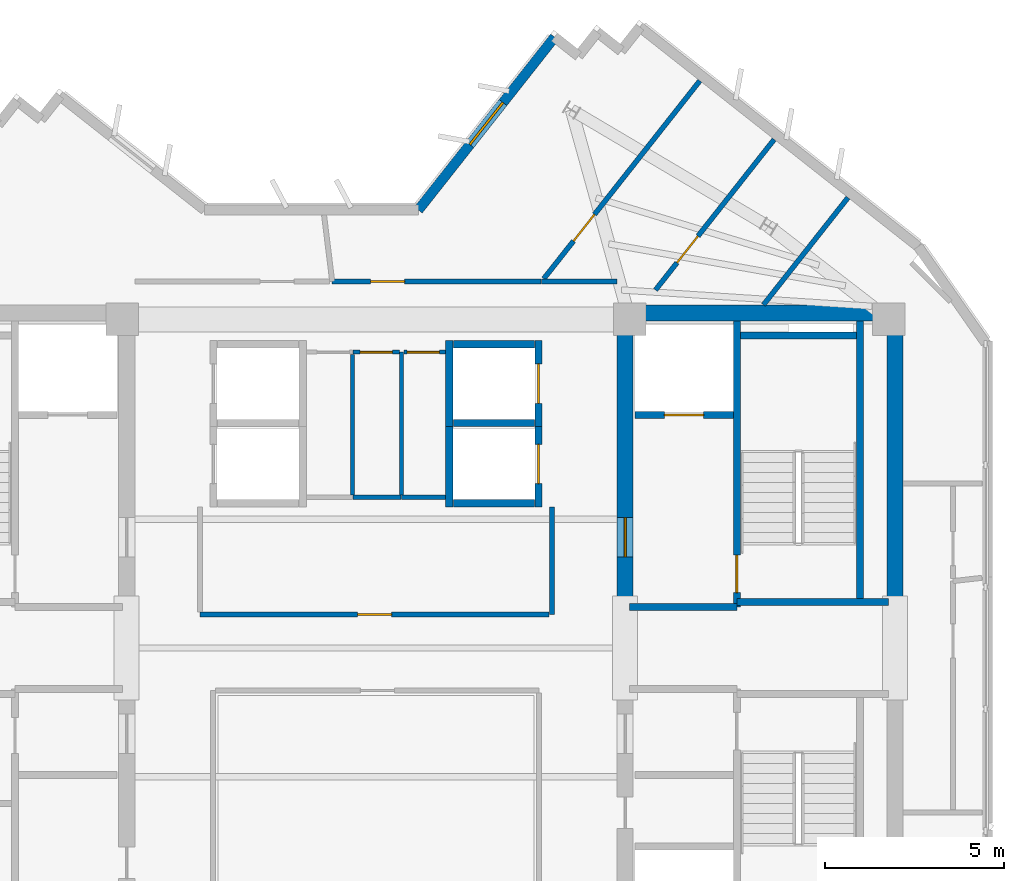
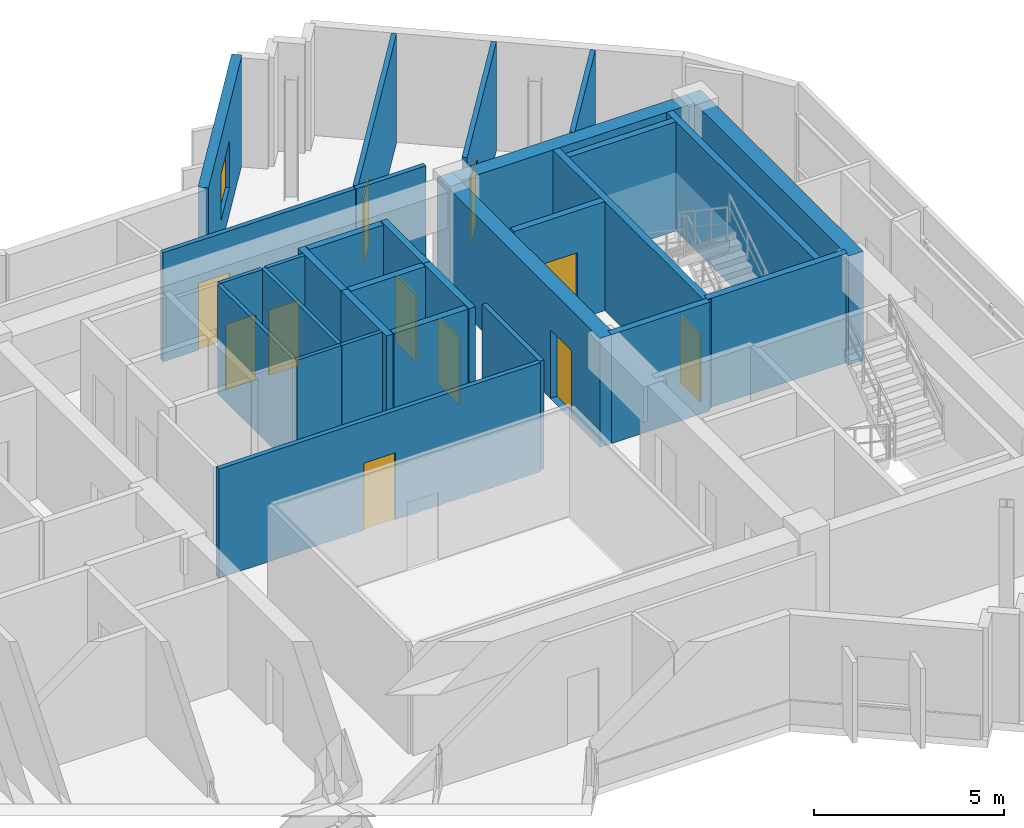
# One storey, part 7 of 10: 30 walls, 11 doors, 1 window, 12 openings.
"""IFC4 building model written with IfcOpenShell, lengths in metres."""

from ifc_helpers import new_model, si_unit, direction, frame, frame_2d, origin, place, context, subcontext, project, spatial, rectangle, extrude, source, transform, mapped, material, layer, layer_set, type_object, element, fill, save


model = new_model("IFC4")

# Units and contexts
model_context = context("Model", 3, precision=1e-05, world=origin(), true_north=direction((0.0, 1.0)))
body_context = subcontext(model_context, "Body", "Model", "MODEL_VIEW")
ifc_project = project(units=[si_unit("LENGTHUNIT", "METRE"), si_unit("AREAUNIT", "SQUARE_METRE"), si_unit("VOLUMEUNIT", "CUBIC_METRE"), si_unit("PLANEANGLEUNIT", "RADIAN"), si_unit("MASSUNIT", "GRAM", prefix="KILO")], contexts=[model_context])

# Site, building, storey
site_placement = place(None, origin())
site = spatial("IfcSite", under=ifc_project, at=site_placement, CompositionType="ELEMENT")
building_placement = place(site_placement, origin())
building = spatial("IfcBuilding", under=site, at=building_placement, Name="Zahravan Cultural Tower", CompositionType="ELEMENT")
storey_placement = place(building_placement, frame((0.0, 0.0, 323.550048828125)))
storey = spatial("IfcBuildingStorey", under=building, at=storey_placement, Name="L78", CompositionType="ELEMENT", Elevation=323.550048828125)

# Wall, opening, door
ifc_material_1 = material(Name="Concrete C50/60", Category="concrete")
ifc_layer_1 = layer(ifc_material_1, 0.449951171875)
ifc_layer_set_1 = layer_set([ifc_layer_1], Name="Concrete C50/60")
wall_type_1 = type_object("IfcWallType", Name="CW-SHEAR-450-C50", PredefinedType="SHEAR", material=ifc_layer_set_1)
wall_1_placement = place(storey_placement, frame((42.97509765625, 28.050048828125, 0.0), z_axis=(0.0, 0.0, 1.0), x_axis=(0.0, 1.0, 0.0)))
wall_1 = element("IfcWall", 1, at=wall_1_placement, inside=storey, type_object=wall_type_1, Name="L78 Core Shear Wall CW-E-WN-L78", PredefinedType="SHEAR", context=body_context, shape_type="SweptSolid", body=[
    extrude(rectangle(XDim=8.550048828125, YDim=0.449951171875, at=frame_2d((4.27490234375, 0.0))), origin(), (0.0, 0.0, 1.0), 3.5),
])
opening_1_placement = place(wall_1_placement, frame((1.5, 0.0, 0.0)))
opening_1 = element("IfcOpeningElement", 2, at=opening_1_placement, cuts=wall_1, Name="Opening D-L78-07", PredefinedType="OPENING", context=body_context, shape_type="SweptSolid", body=[
    extrude(rectangle(XDim=1.10009765625, YDim=2.199951171875, at=frame_2d((0.550048828125, 1.10009765625))), frame((0.0, 0.23486328125, 0.0), z_axis=(0.0, -1.0, 0.0), x_axis=(1.0, 0.0, 0.0)), (0.0, 0.0, 1.0), 0.469970703125),
])
ifc_material_2 = material(Name="Steel ASTM A572 Grade 50", Category="steel")
door_type_1 = type_object("IfcDoorType", Name="DR-LOBBY-1100", OperationType="NOTDEFINED", PredefinedType="DOOR", material=ifc_material_2)
shared_shape_1 = source(origin(), body_context, "Body", "SweptSolid", [
    extrude(rectangle(XDim=1.10009765625, YDim=2.199951171875, at=frame_2d((0.550048828125, 1.10009765625))), frame((0.0, 0.02490234375, 0.0), z_axis=(0.0, -1.0, 0.0), x_axis=(1.0, 0.0, 0.0)), (0.0, 0.0, 1.0), 0.050048828125),
])
door_1_placement = place(opening_1_placement, origin())
door_1 = element("IfcDoor", 3, at=door_1_placement, inside=storey, type_object=door_type_1, Name="L78 Door D-L78-07", OperationType="SINGLE_SWING_RIGHT", OverallHeight=2.199951171875, OverallWidth=1.10009765625, PredefinedType="DOOR", context=body_context, shape_type="MappedRepresentation", body=[
    mapped(shared_shape_1, transform((0.0, 0.0, 0.0), x_axis=(1.0, 0.0, 0.0), y_axis=(0.0, 1.0, 0.0), z_axis=(0.0, 0.0, 1.0), scale=1.0)),
])
fill(opening_1, door_1)

# Wall, opening, window
ifc_material_3 = material(Name="Precast concrete C40/50", Category="concrete")
ifc_layer_2 = layer(ifc_material_3, 0.280029296875)
ifc_layer_set_2 = layer_set([ifc_layer_2], Name="Precast concrete C40/50")
wall_type_2 = type_object("IfcWallType", Name="EW-TC-280", PredefinedType="SOLIDWALL", material=ifc_layer_set_2)
wall_2_placement = place(storey_placement, frame((37.184326171875, 39.260009765625, 0.0), z_axis=(0.0, 0.0, 1.0), x_axis=(0.619100474058, 0.78531178714, 0.0)))
wall_2 = element("IfcWall", 4, at=wall_2_placement, inside=storey, type_object=wall_type_2, Name="L78 Exterior Masonry Frame Wall 09", PredefinedType="SOLIDWALL", context=body_context, shape_type="SweptSolid", body=[
    extrude(rectangle(XDim=6.158935546875, YDim=0.280029296875, at=frame_2d((3.07958984375, 0.0))), origin(), (0.0, 0.0, 1.0), 3.5),
])
opening_2_placement = place(wall_2_placement, frame((2.3291015625, 0.0, 0.85009765625)))
opening_2 = element("IfcOpeningElement", 5, at=opening_2_placement, cuts=wall_2, Name="Opening WN-03", PredefinedType="OPENING", context=body_context, shape_type="SweptSolid", body=[
    extrude(rectangle(XDim=1.5, YDim=1.5, at=frame_2d((0.75, 0.75))), frame((0.0, 0.14990234375, 0.0), z_axis=(0.0, -1.0, 0.0), x_axis=(1.0, 0.0, 0.0)), (0.0, 0.0, 1.0), 0.300048828125),
])
ifc_material_4 = material(Name="Low-E solar-control double glazing", Category="glass")
window_type = type_object("IfcWindowType", Name="WN-REC-1500X1500", PartitioningType="SINGLE_PANEL", PredefinedType="WINDOW", material=ifc_material_4)
shared_shape_2 = source(origin(), body_context, "Body", "SweptSolid", [
    extrude(rectangle(XDim=1.5, YDim=1.5, at=frame_2d((0.75, 0.75))), frame((0.0, 0.030029296875, 0.0), z_axis=(0.0, -1.0, 0.0), x_axis=(1.0, 0.0, 0.0)), (0.0, 0.0, 1.0), 0.06005859375),
])
window_placement = place(opening_2_placement, origin())
window = element("IfcWindow", 6, at=window_placement, inside=storey, type_object=window_type, Name="L78 Recessed Solar Window 04", OverallHeight=1.5, OverallWidth=1.5, PartitioningType="SINGLE_PANEL", PredefinedType="WINDOW", context=body_context, shape_type="MappedRepresentation", body=[
    mapped(shared_shape_2, transform((0.0, 0.0, 0.0), x_axis=(1.0, 0.0, 0.0), y_axis=(0.0, 1.0, 0.0), z_axis=(0.0, 0.0, 1.0), scale=1.0)),
])
fill(opening_2, window)

# Wall, opening, door
ifc_material_5 = material(Name="Gypsum plasterboard partition")
ifc_layer_3 = layer(ifc_material_5, 0.139892578125)
ifc_layer_set_3 = layer_set([ifc_layer_3], Name="Gypsum plasterboard partition")
wall_type_3 = type_object("IfcWallType", Name="W-PART-140", PredefinedType="PARTITIONING", material=ifc_layer_set_3)
wall_3_placement = place(storey_placement, frame((43.82275390625, 37.02001953125, 0.0), z_axis=(0.0, 0.0, 1.0), x_axis=(0.619105408422, 0.785307897109, 0.0)))
wall_3 = element("IfcWall", 7, at=wall_3_placement, inside=storey, type_object=wall_type_3, Name="L78 Interior Wall 050", PredefinedType="PARTITIONING", context=body_context, shape_type="SweptSolid", body=[
    extrude(rectangle(XDim=5.363037109375, YDim=0.139892578125, at=frame_2d((2.681640625, 0.0))), origin(), (0.0, 0.0, 1.0), 3.5),
])
opening_3_placement = place(wall_3_placement, frame((0.970947265625, 0.0, 0.0)))
opening_3 = element("IfcOpeningElement", 8, at=opening_3_placement, cuts=wall_3, Name="Opening D-L78-26", PredefinedType="OPENING", context=body_context, shape_type="SweptSolid", body=[
    extrude(rectangle(XDim=0.949951171875, YDim=2.14990234375, at=frame_2d((0.47509765625, 1.074951171875))), frame((0.0, 0.079833984375, 0.0), z_axis=(0.0, -1.0, 0.0), x_axis=(1.0, 0.0, 0.0)), (0.0, 0.0, 1.0), 0.159912109375),
])
ifc_material_6 = material(Name="Anodised bronze-aluminium mullion", Category="aluminium")
door_type_2 = type_object("IfcDoorType", Name="DR-ROOM-950", OperationType="NOTDEFINED", PredefinedType="DOOR", material=ifc_material_6)
shared_shape_3 = source(origin(), body_context, "Body", "SweptSolid", [
    extrude(rectangle(XDim=0.949951171875, YDim=2.14990234375, at=frame_2d((0.47509765625, 1.074951171875))), frame((0.0, 0.02490234375, 0.0), z_axis=(0.0, -1.0, 0.0), x_axis=(1.0, 0.0, 0.0)), (0.0, 0.0, 1.0), 0.050048828125),
])
door_2_placement = place(opening_3_placement, origin())
door_2 = element("IfcDoor", 9, at=door_2_placement, inside=storey, type_object=door_type_2, Name="L78 Door D-L78-26", OperationType="SINGLE_SWING_LEFT", OverallHeight=2.14990234375, OverallWidth=0.949951171875, PredefinedType="DOOR", context=body_context, shape_type="MappedRepresentation", body=[
    mapped(shared_shape_3, transform((0.0, 0.0, 0.0), x_axis=(1.0, 0.0, 0.0), y_axis=(0.0, 1.0, 0.0), z_axis=(0.0, 0.0, 1.0), scale=1.0)),
])
fill(opening_3, door_2)

wall_4_placement = place(storey_placement, frame((40.69677734375, 37.335205078125, 0.0), z_axis=(0.0, 0.0, 1.0), x_axis=(0.619105259882, 0.785308014213, 0.0)))
wall_4 = element("IfcWall", 10, at=wall_4_placement, inside=storey, type_object=wall_type_3, Name="L78 Interior Wall 054", PredefinedType="PARTITIONING", context=body_context, shape_type="SweptSolid", body=[
    extrude(rectangle(XDim=7.05078125, YDim=0.139892578125, at=frame_2d((3.525390625, 0.0))), origin(), (0.0, 0.0, 1.0), 3.5),
])
opening_4_placement = place(wall_4_placement, frame((1.34228515625, 0.0, 0.0)))
opening_4 = element("IfcOpeningElement", 11, at=opening_4_placement, cuts=wall_4, Name="Opening D-L78-24", PredefinedType="OPENING", context=body_context, shape_type="SweptSolid", body=[
    extrude(rectangle(XDim=0.949951171875, YDim=2.14990234375, at=frame_2d((0.47509765625, 1.074951171875))), frame((0.0, 0.079833984375, 0.0), z_axis=(0.0, -1.0, 0.0), x_axis=(1.0, 0.0, 0.0)), (0.0, 0.0, 1.0), 0.159912109375),
])
door_3_placement = place(opening_4_placement, origin())
door_3 = element("IfcDoor", 12, at=door_3_placement, inside=storey, type_object=door_type_2, Name="L78 Door D-L78-24", OperationType="SINGLE_SWING_LEFT", OverallHeight=2.14990234375, OverallWidth=0.949951171875, PredefinedType="DOOR", context=body_context, shape_type="MappedRepresentation", body=[
    mapped(shared_shape_3, transform((0.0, 0.0, 0.0), x_axis=(1.0, 0.0, 0.0), y_axis=(0.0, 1.0, 0.0), z_axis=(0.0, 0.0, 1.0), scale=1.0)),
])
fill(opening_4, door_3)

wall_5_placement = place(storey_placement, frame((40.844970703125, 27.93994140625, 0.0), z_axis=(0.0, 0.0, 1.0), x_axis=(-1.0, 0.0, 0.0)))
wall_5 = element("IfcWall", 13, at=wall_5_placement, inside=storey, type_object=wall_type_3, Name="L78 Interior Wall 074", PredefinedType="PARTITIONING", context=body_context, shape_type="SweptSolid", body=[
    extrude(rectangle(XDim=9.764892578125, YDim=0.139892578125, at=frame_2d((4.88232421875, 0.0))), origin(), (0.0, 0.0, 1.0), 3.5),
])
opening_5_placement = place(wall_5_placement, frame((4.407470703125, 0.0, 0.0)))
opening_5 = element("IfcOpeningElement", 14, at=opening_5_placement, cuts=wall_5, Name="Opening D-L78-16", PredefinedType="OPENING", context=body_context, shape_type="SweptSolid", body=[
    extrude(rectangle(XDim=0.949951171875, YDim=2.14990234375, at=frame_2d((0.47509765625, 1.074951171875))), frame((0.0, 0.079833984375, 0.0), z_axis=(0.0, -1.0, 0.0), x_axis=(1.0, 0.0, 0.0)), (0.0, 0.0, 1.0), 0.159912109375),
])
door_4_placement = place(opening_5_placement, origin())
door_4 = element("IfcDoor", 15, at=door_4_placement, inside=storey, type_object=door_type_2, Name="L78 Door D-L78-16", OperationType="SINGLE_SWING_LEFT", OverallHeight=2.14990234375, OverallWidth=0.949951171875, PredefinedType="DOOR", context=body_context, shape_type="MappedRepresentation", body=[
    mapped(shared_shape_3, transform((0.0, 0.0, 0.0), x_axis=(1.0, 0.0, 0.0), y_axis=(0.0, 1.0, 0.0), z_axis=(0.0, 0.0, 1.0), scale=1.0)),
])
fill(opening_5, door_4)

wall_6_placement = place(storey_placement, frame((40.612060546875, 37.260009765625, 0.0), z_axis=(0.0, 0.0, 1.0), x_axis=(-1.0, 0.0, 0.0)))
wall_6 = element("IfcWall", 16, at=wall_6_placement, inside=storey, type_object=wall_type_3, Name="L78 Interior Wall 076", PredefinedType="PARTITIONING", context=body_context, shape_type="SweptSolid", body=[
    extrude(rectangle(XDim=5.836669921875, YDim=0.139892578125, at=frame_2d((2.91845703125, 0.0))), origin(), (0.0, 0.0, 1.0), 3.5),
])
opening_6_placement = place(wall_6_placement, frame((3.8115234375, 0.0, 0.0)))
opening_6 = element("IfcOpeningElement", 17, at=opening_6_placement, cuts=wall_6, Name="Opening D-L78-18", PredefinedType="OPENING", context=body_context, shape_type="SweptSolid", body=[
    extrude(rectangle(XDim=0.949951171875, YDim=2.14990234375, at=frame_2d((0.47509765625, 1.074951171875))), frame((0.0, 0.079833984375, 0.0), z_axis=(0.0, -1.0, 0.0), x_axis=(1.0, 0.0, 0.0)), (0.0, 0.0, 1.0), 0.159912109375),
])
door_5_placement = place(opening_6_placement, origin())
door_5 = element("IfcDoor", 18, at=door_5_placement, inside=storey, type_object=door_type_2, Name="L78 Door D-L78-18", OperationType="SINGLE_SWING_LEFT", OverallHeight=2.14990234375, OverallWidth=0.949951171875, PredefinedType="DOOR", context=body_context, shape_type="MappedRepresentation", body=[
    mapped(shared_shape_3, transform((0.0, 0.0, 0.0), x_axis=(1.0, 0.0, 0.0), y_axis=(0.0, 1.0, 0.0), z_axis=(0.0, 0.0, 1.0), scale=1.0)),
])
fill(opening_6, door_5)

ifc_material_7 = material(Name="Concrete C45/55", Category="concrete")
ifc_layer_4 = layer(ifc_material_7, 0.199951171875)
ifc_layer_set_4 = layer_set([ifc_layer_4], Name="Concrete C45/55")
wall_type_4 = type_object("IfcWallType", Name="W-SHAFT-200", PredefinedType="SOLIDWALL", material=ifc_layer_set_4)
wall_7_placement = place(storey_placement, frame((46.10009765625, 28.14990234375, 0.0), z_axis=(0.0, 0.0, 1.0), x_axis=(0.0, 1.0, 0.0)))
wall_7 = element("IfcWall", 19, at=wall_7_placement, inside=storey, type_object=wall_type_4, Name="L78 Interior Wall 008", PredefinedType="SOLIDWALL", context=body_context, shape_type="SweptSolid", body=[
    extrude(rectangle(XDim=8.0, YDim=0.199951171875, at=frame_2d((4.0, 0.0))), origin(), (0.0, 0.0, 1.0), 3.5),
])
opening_7_placement = place(wall_7_placement, frame((0.39990234375, 0.0, 0.0)))
opening_7 = element("IfcOpeningElement", 20, at=opening_7_placement, cuts=wall_7, Name="Opening D-L78-02", PredefinedType="OPENING", context=body_context, shape_type="SweptSolid", body=[
    extrude(rectangle(XDim=1.050048828125, YDim=2.14990234375, at=frame_2d((0.52490234375, 1.074951171875))), frame((0.0, 0.10986328125, 0.0), z_axis=(0.0, -1.0, 0.0), x_axis=(1.0, 0.0, 0.0)), (0.0, 0.0, 1.0), 0.219970703125),
])
door_type_3 = type_object("IfcDoorType", Name="DR-STAIR-1050", OperationType="NOTDEFINED", PredefinedType="DOOR", material=ifc_material_2)
shared_shape_4 = source(origin(), body_context, "Body", "SweptSolid", [
    extrude(rectangle(XDim=1.050048828125, YDim=2.14990234375, at=frame_2d((0.52490234375, 1.074951171875))), frame((0.0, 0.02490234375, 0.0), z_axis=(0.0, -1.0, 0.0), x_axis=(1.0, 0.0, 0.0)), (0.0, 0.0, 1.0), 0.050048828125),
])
door_6_placement = place(opening_7_placement, origin())
door_6 = element("IfcDoor", 21, at=door_6_placement, inside=storey, type_object=door_type_3, Name="L78 Door D-L78-02", OperationType="SINGLE_SWING_LEFT", OverallHeight=2.14990234375, OverallWidth=1.050048828125, PredefinedType="DOOR", context=body_context, shape_type="MappedRepresentation", body=[
    mapped(shared_shape_4, transform((0.0, 0.0, 0.0), x_axis=(1.0, 0.0, 0.0), y_axis=(0.0, 1.0, 0.0), z_axis=(0.0, 0.0, 1.0), scale=1.0)),
])
fill(opening_7, door_6)

wall_8_placement = place(storey_placement, frame((43.25, 33.52001953125, 0.0), z_axis=(0.0, 0.0, 1.0), x_axis=(1.0, 0.0, 0.0)))
wall_8 = element("IfcWall", 22, at=wall_8_placement, inside=storey, type_object=wall_type_4, Name="L78 Interior Wall 023", PredefinedType="SOLIDWALL", context=body_context, shape_type="SweptSolid", body=[
    extrude(rectangle(XDim=2.75, YDim=0.199951171875, at=frame_2d((1.375, 0.0))), origin(), (0.0, 0.0, 1.0), 3.5),
])
opening_8_placement = place(wall_8_placement, frame((0.820068359375, 0.0, 0.0)))
opening_8 = element("IfcOpeningElement", 23, at=opening_8_placement, cuts=wall_8, Name="Opening LD-L78-02", PredefinedType="OPENING", context=body_context, shape_type="SweptSolid", body=[
    extrude(rectangle(XDim=1.10009765625, YDim=2.14990234375, at=frame_2d((0.550048828125, 1.074951171875))), frame((0.0, 0.10986328125, 0.0), z_axis=(0.0, -1.0, 0.0), x_axis=(1.0, 0.0, 0.0)), (0.0, 0.0, 1.0), 0.219970703125),
])
door_type_4 = type_object("IfcDoorType", Name="DR-LIFT-1100", OperationType="DOUBLE_DOOR_SLIDING", PredefinedType="DOOR", material=ifc_material_2)
shared_shape_5 = source(origin(), body_context, "Body", "SweptSolid", [
    extrude(rectangle(XDim=1.10009765625, YDim=2.14990234375, at=frame_2d((0.550048828125, 1.074951171875))), frame((0.0, 0.02490234375, 0.0), z_axis=(0.0, -1.0, 0.0), x_axis=(1.0, 0.0, 0.0)), (0.0, 0.0, 1.0), 0.050048828125),
])
door_7_placement = place(opening_8_placement, origin())
door_7 = element("IfcDoor", 24, at=door_7_placement, inside=storey, type_object=door_type_4, Name="L78 Door LD-L78-02", OperationType="DOUBLE_DOOR_SLIDING", OverallHeight=2.14990234375, OverallWidth=1.10009765625, PredefinedType="DOOR", context=body_context, shape_type="MappedRepresentation", body=[
    mapped(shared_shape_5, transform((0.0, 0.0, 0.0), x_axis=(1.0, 0.0, 0.0), y_axis=(0.0, 1.0, 0.0), z_axis=(0.0, 0.0, 1.0), scale=1.0)),
])
fill(opening_8, door_7)

wall_9_placement = place(storey_placement, frame((40.550048828125, 33.199951171875, 0.0), z_axis=(0.0, 0.0, 1.0), x_axis=(0.0, 1.0, 0.0)))
wall_9 = element("IfcWall", 25, at=wall_9_placement, inside=storey, type_object=wall_type_4, Name="L78 Interior Wall 035", PredefinedType="SOLIDWALL", context=body_context, shape_type="SweptSolid", body=[
    extrude(rectangle(XDim=2.400146484375, YDim=0.199951171875, at=frame_2d((1.2001953125, 0.0))), origin(), (0.0, 0.0, 1.0), 3.5),
])
opening_9_placement = place(wall_9_placement, frame((0.64990234375, 0.0, 0.0)))
opening_9 = element("IfcOpeningElement", 26, at=opening_9_placement, cuts=wall_9, Name="Opening LD-L78-06", PredefinedType="OPENING", context=body_context, shape_type="SweptSolid", body=[
    extrude(rectangle(XDim=1.10009765625, YDim=2.14990234375, at=frame_2d((0.550048828125, 1.074951171875))), frame((0.0, 0.10986328125, 0.0), z_axis=(0.0, -1.0, 0.0), x_axis=(1.0, 0.0, 0.0)), (0.0, 0.0, 1.0), 0.219970703125),
])
door_8_placement = place(opening_9_placement, origin())
door_8 = element("IfcDoor", 27, at=door_8_placement, inside=storey, type_object=door_type_4, Name="L78 Door LD-L78-06", OperationType="DOUBLE_DOOR_SLIDING", OverallHeight=2.14990234375, OverallWidth=1.10009765625, PredefinedType="DOOR", context=body_context, shape_type="MappedRepresentation", body=[
    mapped(shared_shape_5, transform((0.0, 0.0, 0.0), x_axis=(1.0, 0.0, 0.0), y_axis=(0.0, 1.0, 0.0), z_axis=(0.0, 0.0, 1.0), scale=1.0)),
])
fill(opening_9, door_8)

wall_10_placement = place(storey_placement, frame((40.550048828125, 30.949951171875, 0.0), z_axis=(0.0, 0.0, 1.0), x_axis=(0.0, 1.0, 0.0)))
wall_10 = element("IfcWall", 28, at=wall_10_placement, inside=storey, type_object=wall_type_4, Name="L78 Interior Wall 039", PredefinedType="SOLIDWALL", context=body_context, shape_type="SweptSolid", body=[
    extrude(rectangle(XDim=2.400146484375, YDim=0.199951171875, at=frame_2d((1.2001953125, 0.0))), origin(), (0.0, 0.0, 1.0), 3.5),
])
opening_10_placement = place(wall_10_placement, frame((0.64990234375, 0.0, 0.0)))
opening_10 = element("IfcOpeningElement", 29, at=opening_10_placement, cuts=wall_10, Name="Opening LD-L78-07", PredefinedType="OPENING", context=body_context, shape_type="SweptSolid", body=[
    extrude(rectangle(XDim=1.10009765625, YDim=2.14990234375, at=frame_2d((0.550048828125, 1.074951171875))), frame((0.0, 0.10986328125, 0.0), z_axis=(0.0, -1.0, 0.0), x_axis=(1.0, 0.0, 0.0)), (0.0, 0.0, 1.0), 0.219970703125),
])
door_9_placement = place(opening_10_placement, origin())
door_9 = element("IfcDoor", 30, at=door_9_placement, inside=storey, type_object=door_type_4, Name="L78 Door LD-L78-07", OperationType="DOUBLE_DOOR_SLIDING", OverallHeight=2.14990234375, OverallWidth=1.10009765625, PredefinedType="DOOR", context=body_context, shape_type="MappedRepresentation", body=[
    mapped(shared_shape_5, transform((0.0, 0.0, 0.0), x_axis=(1.0, 0.0, 0.0), y_axis=(0.0, 1.0, 0.0), z_axis=(0.0, 0.0, 1.0), scale=1.0)),
])
fill(opening_10, door_9)

ifc_layer_5 = layer(ifc_material_5, 0.114990234375)
ifc_layer_set_5 = layer_set([ifc_layer_5], Name="Gypsum plasterboard partition")
wall_type_5 = type_object("IfcWallType", Name="W-WC-115", PredefinedType="PARTITIONING", material=ifc_layer_set_5)
wall_11_placement = place(storey_placement, frame((36.782470703125, 35.280029296875, 0.0), z_axis=(0.0, 0.0, 1.0), x_axis=(1.0, 0.0, 0.0)))
wall_11 = element("IfcWall", 31, at=wall_11_placement, inside=storey, type_object=wall_type_5, Name="L78 Interior Wall 043", PredefinedType="PARTITIONING", context=body_context, shape_type="SweptSolid", body=[
    extrude(rectangle(XDim=1.16259765625, YDim=0.114990234375, at=frame_2d((0.581298828125, 0.0))), origin(), (0.0, 0.0, 1.0), 3.5),
])
opening_11_placement = place(wall_11_placement, frame((0.0888671875, 0.0, 0.0)))
opening_11 = element("IfcOpeningElement", 32, at=opening_11_placement, cuts=wall_11, Name="Opening D-L78-15", PredefinedType="OPENING", context=body_context, shape_type="SweptSolid", body=[
    extrude(rectangle(XDim=0.89990234375, YDim=2.10009765625, at=frame_2d((0.449951171875, 1.050048828125))), frame((0.0, 0.0673828125, 0.0), z_axis=(0.0, -1.0, 0.0), x_axis=(1.0, 0.0, 0.0)), (0.0, 0.0, 1.0), 0.135009765625),
])
door_type_5 = type_object("IfcDoorType", Name="DR-WC-900", OperationType="NOTDEFINED", PredefinedType="DOOR", material=ifc_material_6)
shared_shape_6 = source(origin(), body_context, "Body", "SweptSolid", [
    extrude(rectangle(XDim=0.89990234375, YDim=2.10009765625, at=frame_2d((0.449951171875, 1.050048828125))), frame((0.0, 0.02490234375, 0.0), z_axis=(0.0, -1.0, 0.0), x_axis=(1.0, 0.0, 0.0)), (0.0, 0.0, 1.0), 0.050048828125),
])
door_10_placement = place(opening_11_placement, origin())
door_10 = element("IfcDoor", 33, at=door_10_placement, inside=storey, type_object=door_type_5, Name="L78 Door D-L78-15", OperationType="SINGLE_SWING_RIGHT", OverallHeight=2.10009765625, OverallWidth=0.89990234375, PredefinedType="DOOR", context=body_context, shape_type="MappedRepresentation", body=[
    mapped(shared_shape_6, transform((0.0, 0.0, 0.0), x_axis=(1.0, 0.0, 0.0), y_axis=(0.0, 1.0, 0.0), z_axis=(0.0, 0.0, 1.0), scale=1.0)),
])
fill(opening_11, door_10)

wall_12_placement = place(storey_placement, frame((35.360107421875, 35.280029296875, 0.0), z_axis=(0.0, 0.0, 1.0), x_axis=(1.0, 0.0, 0.0)))
wall_12 = element("IfcWall", 34, at=wall_12_placement, inside=storey, type_object=wall_type_5, Name="L78 Interior Wall 048", PredefinedType="PARTITIONING", context=body_context, shape_type="SweptSolid", body=[
    extrude(rectangle(XDim=1.29736328125, YDim=0.114990234375, at=frame_2d((0.648681640625, 0.0))), origin(), (0.0, 0.0, 1.0), 3.5),
])
opening_12_placement = place(wall_12_placement, frame((0.19873046875, 0.0, 0.0)))
opening_12 = element("IfcOpeningElement", 35, at=opening_12_placement, cuts=wall_12, Name="Opening D-L78-14", PredefinedType="OPENING", context=body_context, shape_type="SweptSolid", body=[
    extrude(rectangle(XDim=0.89990234375, YDim=2.10009765625, at=frame_2d((0.449951171875, 1.050048828125))), frame((0.0, 0.0673828125, 0.0), z_axis=(0.0, -1.0, 0.0), x_axis=(1.0, 0.0, 0.0)), (0.0, 0.0, 1.0), 0.135009765625),
])
door_11_placement = place(opening_12_placement, origin())
door_11 = element("IfcDoor", 36, at=door_11_placement, inside=storey, type_object=door_type_5, Name="L78 Door D-L78-14", OperationType="SINGLE_SWING_LEFT", OverallHeight=2.10009765625, OverallWidth=0.89990234375, PredefinedType="DOOR", context=body_context, shape_type="MappedRepresentation", body=[
    mapped(shared_shape_6, transform((0.0, 0.0, 0.0), x_axis=(1.0, 0.0, 0.0), y_axis=(0.0, 1.0, 0.0), z_axis=(0.0, 0.0, 1.0), scale=1.0)),
])
fill(opening_12, door_11)

# Walls
shared_shape_7 = source(origin(), body_context, "Body", "SweptSolid", [
    extrude(rectangle(XDim=8.550048828125, YDim=0.449951171875, at=frame_2d((4.27490234375, 0.0))), origin(), (0.0, 0.0, 1.0), 3.5),
])
wall_13_placement = place(storey_placement, frame((50.52490234375, 28.050048828125, 0.0), z_axis=(0.0, 0.0, 1.0), x_axis=(0.0, 1.0, 0.0)))
element("IfcWall", 37, at=wall_13_placement, inside=storey, type_object=wall_type_1, Name="L78 Core Shear Wall CW-E-EN-L78", PredefinedType="SHEAR", context=body_context, shape_type="MappedRepresentation", body=[
    mapped(shared_shape_7, transform((0.0, 0.0, 0.0), x_axis=(1.0, 0.0, 0.0), y_axis=(0.0, 1.0, 0.0), z_axis=(0.0, 0.0, 1.0), scale=1.0)),
])
shared_shape_8 = source(origin(), body_context, "Body", "SweptSolid", [
    extrude(rectangle(XDim=7.10009765625, YDim=0.449951171875, at=frame_2d((3.550048828125, 0.0))), origin(), (0.0, 0.0, 1.0), 3.5),
])
wall_14_placement = place(storey_placement, frame((43.199951171875, 36.375, 0.0), z_axis=(0.0, 0.0, 1.0), x_axis=(1.0, 0.0, 0.0)))
element("IfcWall", 38, at=wall_14_placement, inside=storey, type_object=wall_type_1, Name="L78 Core Shear Wall CW-E-N-L78", PredefinedType="SHEAR", context=body_context, shape_type="MappedRepresentation", body=[
    mapped(shared_shape_8, transform((0.0, 0.0, 0.0), x_axis=(1.0, 0.0, 0.0), y_axis=(0.0, 1.0, 0.0), z_axis=(0.0, 0.0, 1.0), scale=1.0)),
])
shared_shape_9 = source(origin(), body_context, "Body", "SweptSolid", [
    extrude(rectangle(XDim=7.869873046875, YDim=0.199951171875, at=frame_2d((3.93505859375, 0.0))), origin(), (0.0, 0.0, 1.0), 3.5),
])
wall_15_placement = place(storey_placement, frame((49.550048828125, 28.280029296875, 0.0), z_axis=(0.0, 0.0, 1.0), x_axis=(0.0, 1.0, 0.0)))
element("IfcWall", 39, at=wall_15_placement, inside=storey, type_object=wall_type_4, Name="L78 Interior Wall 004", PredefinedType="SOLIDWALL", context=body_context, shape_type="MappedRepresentation", body=[
    mapped(shared_shape_9, transform((0.0, 0.0, 0.0), x_axis=(1.0, 0.0, 0.0), y_axis=(0.0, 1.0, 0.0), z_axis=(0.0, 0.0, 1.0), scale=1.0)),
])
shared_shape_10 = source(origin(), body_context, "Body", "SweptSolid", [
    extrude(rectangle(XDim=4.25, YDim=0.199951171875, at=frame_2d((2.125, 0.0))), origin(), (0.0, 0.0, 1.0), 3.5),
])
wall_16_placement = place(storey_placement, frame((46.10009765625, 28.284912109375, 0.0), z_axis=(0.0, 0.0, 1.0), x_axis=(1.0, 0.0, 0.0)))
element("IfcWall", 40, at=wall_16_placement, inside=storey, type_object=wall_type_4, Name="L78 Interior Wall 016", PredefinedType="SOLIDWALL", context=body_context, shape_type="MappedRepresentation", body=[
    mapped(shared_shape_10, transform((0.0, 0.0, 0.0), x_axis=(1.0, 0.0, 0.0), y_axis=(0.0, 1.0, 0.0), z_axis=(0.0, 0.0, 1.0), scale=1.0)),
])
shared_shape_11 = source(origin(), body_context, "Body", "SweptSolid", [
    extrude(rectangle(XDim=3.0, YDim=0.199951171875, at=frame_2d((1.5, 0.0))), origin(), (0.0, 0.0, 1.0), 3.5),
])
wall_17_placement = place(storey_placement, frame((43.10009765625, 28.14990234375, 0.0), z_axis=(0.0, 0.0, 1.0), x_axis=(1.0, 0.0, 0.0)))
element("IfcWall", 41, at=wall_17_placement, inside=storey, type_object=wall_type_4, Name="L78 Interior Wall 015", PredefinedType="SOLIDWALL", context=body_context, shape_type="MappedRepresentation", body=[
    mapped(shared_shape_11, transform((0.0, 0.0, 0.0), x_axis=(1.0, 0.0, 0.0), y_axis=(0.0, 1.0, 0.0), z_axis=(0.0, 0.0, 1.0), scale=1.0)),
])
shared_shape_12 = source(origin(), body_context, "Body", "SweptSolid", [
    extrude(rectangle(XDim=3.25, YDim=0.199951171875, at=frame_2d((1.625, 0.0))), origin(), (0.0, 0.0, 1.0), 3.5),
])
wall_18_placement = place(storey_placement, frame((46.199951171875, 35.75, 0.0), z_axis=(0.0, 0.0, 1.0), x_axis=(1.0, 0.0, 0.0)))
element("IfcWall", 42, at=wall_18_placement, inside=storey, type_object=wall_type_4, Name="L78 Interior Wall 018", PredefinedType="SOLIDWALL", context=body_context, shape_type="MappedRepresentation", body=[
    mapped(shared_shape_12, transform((0.0, 0.0, 0.0), x_axis=(1.0, 0.0, 0.0), y_axis=(0.0, 1.0, 0.0), z_axis=(0.0, 0.0, 1.0), scale=1.0)),
])
shared_shape_13 = source(origin(), body_context, "Body", "SweptSolid", [
    extrude(rectangle(XDim=2.400146484375, YDim=0.199951171875, at=frame_2d((1.2001953125, 0.0))), origin(), (0.0, 0.0, 1.0), 3.5),
])
for number, where, z_axis, x_axis, name in (
    (43, (38.050048828125, 33.199951171875, 0.0), (0.0, 0.0, 1.0), (0.0, 1.0, 0.0), "L78 Interior Wall 034"),
    (44, (38.050048828125, 30.949951171875, 0.0), (0.0, 0.0, 1.0), (0.0, 1.0, 0.0), "L78 Interior Wall 038"),
):
    element("IfcWall", number, at=place(storey_placement, frame(where, z_axis=z_axis, x_axis=x_axis)), inside=storey, type_object=wall_type_4, Name=name, PredefinedType="SOLIDWALL", context=body_context, shape_type="MappedRepresentation", body=[
        mapped(shared_shape_13, transform((0.0, 0.0, 0.0), x_axis=(1.0, 0.0, 0.0), y_axis=(0.0, 1.0, 0.0), z_axis=(0.0, 0.0, 1.0), scale=1.0)),
    ])
shared_shape_14 = source(origin(), body_context, "Body", "SweptSolid", [
    extrude(rectangle(XDim=2.260009765625, YDim=0.199951171875, at=frame_2d((1.1298828125, 0.0))), origin(), (0.0, 0.0, 1.0), 3.5),
])
for number, where, z_axis, x_axis, name in (
    (45, (38.169921875, 33.300048828125, 0.0), (0.0, 0.0, 1.0), (1.0, 0.0, 0.0), "L78 Interior Wall 036"),
    (46, (38.169921875, 35.5, 0.0), (0.0, 0.0, 1.0), (1.0, 0.0, 0.0), "L78 Interior Wall 037"),
    (47, (38.169921875, 31.050048828125, 0.0), (0.0, 0.0, 1.0), (1.0, 0.0, 0.0), "L78 Interior Wall 040"),
):
    element("IfcWall", number, at=place(storey_placement, frame(where, z_axis=z_axis, x_axis=x_axis)), inside=storey, type_object=wall_type_4, Name=name, PredefinedType="SOLIDWALL", context=body_context, shape_type="MappedRepresentation", body=[
        mapped(shared_shape_14, transform((0.0, 0.0, 0.0), x_axis=(1.0, 0.0, 0.0), y_axis=(0.0, 1.0, 0.0), z_axis=(0.0, 0.0, 1.0), scale=1.0)),
    ])
shared_shape_15 = source(origin(), body_context, "Body", "SweptSolid", [
    extrude(rectangle(XDim=1.22509765625, YDim=0.114990234375, at=frame_2d((0.612548828125, 0.0))), origin(), (0.0, 0.0, 1.0), 3.5),
])
wall_19_placement = place(storey_placement, frame((37.945068359375, 31.219970703125, 0.0), z_axis=(0.0, 0.0, 1.0), x_axis=(-1.0, 0.0, 0.0)))
element("IfcWall", 48, at=wall_19_placement, inside=storey, type_object=wall_type_5, Name="L78 Interior Wall 041", PredefinedType="PARTITIONING", context=body_context, shape_type="MappedRepresentation", body=[
    mapped(shared_shape_15, transform((0.0, 0.0, 0.0), x_axis=(1.0, 0.0, 0.0), y_axis=(0.0, 1.0, 0.0), z_axis=(0.0, 0.0, 1.0), scale=1.0)),
])
shared_shape_16 = source(origin(), body_context, "Body", "SweptSolid", [
    extrude(rectangle(XDim=3.99755859375, YDim=0.114990234375, at=frame_2d((1.998779296875, 0.0))), origin(), (0.0, 0.0, 1.0), 3.5),
])
wall_20_placement = place(storey_placement, frame((36.719970703125, 31.282470703125, 0.0), z_axis=(0.0, 0.0, 1.0), x_axis=(0.0, 1.0, 0.0)))
element("IfcWall", 49, at=wall_20_placement, inside=storey, type_object=wall_type_5, Name="L78 Interior Wall 042", PredefinedType="PARTITIONING", context=body_context, shape_type="MappedRepresentation", body=[
    mapped(shared_shape_16, transform((0.0, 0.0, 0.0), x_axis=(1.0, 0.0, 0.0), y_axis=(0.0, 1.0, 0.0), z_axis=(0.0, 0.0, 1.0), scale=1.0)),
])
shared_shape_17 = source(origin(), body_context, "Body", "SweptSolid", [
    extrude(rectangle(XDim=3.93505859375, YDim=0.114990234375, at=frame_2d((1.967529296875, 0.0))), origin(), (0.0, 0.0, 1.0), 3.5),
])
wall_21_placement = place(storey_placement, frame((35.340087890625, 35.217529296875, 0.0), z_axis=(0.0, 0.0, 1.0), x_axis=(0.0, -1.0, 0.0)))
element("IfcWall", 50, at=wall_21_placement, inside=storey, type_object=wall_type_5, Name="L78 Interior Wall 046", PredefinedType="PARTITIONING", context=body_context, shape_type="MappedRepresentation", body=[
    mapped(shared_shape_17, transform((0.0, 0.0, 0.0), x_axis=(1.0, 0.0, 0.0), y_axis=(0.0, 1.0, 0.0), z_axis=(0.0, 0.0, 1.0), scale=1.0)),
])
shared_shape_18 = source(origin(), body_context, "Body", "SweptSolid", [
    extrude(rectangle(XDim=1.33984375, YDim=0.114990234375, at=frame_2d((0.669921875, 0.0))), origin(), (0.0, 0.0, 1.0), 3.5),
])
wall_22_placement = place(storey_placement, frame((36.699951171875, 31.219970703125, 0.0), z_axis=(0.0, 0.0, 1.0), x_axis=(-1.0, 0.0, 0.0)))
element("IfcWall", 51, at=wall_22_placement, inside=storey, type_object=wall_type_5, Name="L78 Interior Wall 047", PredefinedType="PARTITIONING", context=body_context, shape_type="MappedRepresentation", body=[
    mapped(shared_shape_18, transform((0.0, 0.0, 0.0), x_axis=(1.0, 0.0, 0.0), y_axis=(0.0, 1.0, 0.0), z_axis=(0.0, 0.0, 1.0), scale=1.0)),
])
shared_shape_19 = source(origin(), body_context, "Body", "SweptSolid", [
    extrude(rectangle(XDim=3.010009765625, YDim=0.139892578125, at=frame_2d((1.5048828125, 0.0))), origin(), (0.0, 0.0, 1.0), 3.5),
])
wall_23_placement = place(storey_placement, frame((40.919921875, 30.949951171875, 0.0), z_axis=(0.0, 0.0, 1.0), x_axis=(0.0, -1.0, 0.0)))
element("IfcWall", 52, at=wall_23_placement, inside=storey, type_object=wall_type_3, Name="L78 Interior Wall 073", PredefinedType="PARTITIONING", context=body_context, shape_type="MappedRepresentation", body=[
    mapped(shared_shape_19, transform((0.0, 0.0, 0.0), x_axis=(1.0, 0.0, 0.0), y_axis=(0.0, 1.0, 0.0), z_axis=(0.0, 0.0, 1.0), scale=1.0)),
])
shared_shape_20 = source(origin(), body_context, "Body", "SweptSolid", [
    extrude(rectangle(XDim=3.818359375, YDim=0.139892578125, at=frame_2d((1.9091796875, 0.0))), origin(), (0.0, 0.0, 1.0), 3.5),
])
wall_24_placement = place(storey_placement, frame((49.20849609375, 39.603515625, 0.0), z_axis=(0.0, 0.0, 1.0), x_axis=(-0.619119655452, -0.78529666511, 0.0)))
element("IfcWall", 53, at=wall_24_placement, inside=storey, type_object=wall_type_3, Name="L78 Interior Wall 049", PredefinedType="PARTITIONING", context=body_context, shape_type="MappedRepresentation", body=[
    mapped(shared_shape_20, transform((0.0, 0.0, 0.0), x_axis=(1.0, 0.0, 0.0), y_axis=(0.0, 1.0, 0.0), z_axis=(0.0, 0.0, 1.0), scale=1.0)),
])
shared_shape_21 = source(origin(), body_context, "Body", "SweptSolid", [
    extrude(rectangle(XDim=2.10888671875, YDim=0.139892578125, at=frame_2d((1.054443359375, 0.0))), origin(), (0.0, 0.0, 1.0), 3.5),
])
wall_25_placement = place(storey_placement, frame((42.74658203125, 37.2587890625, 0.0), z_axis=(0.0, 0.0, 1.0), x_axis=(-0.999999832474, 0.000578837597, 0.0)))
element("IfcWall", 54, at=wall_25_placement, inside=storey, type_object=wall_type_3, Name="L78 Interior Wall 053", PredefinedType="PARTITIONING", context=body_context, shape_type="MappedRepresentation", body=[
    mapped(shared_shape_21, transform((0.0, 0.0, 0.0), x_axis=(1.0, 0.0, 0.0), y_axis=(0.0, 1.0, 0.0), z_axis=(0.0, 0.0, 1.0), scale=1.0)),
])

save(model, "model.ifc")
